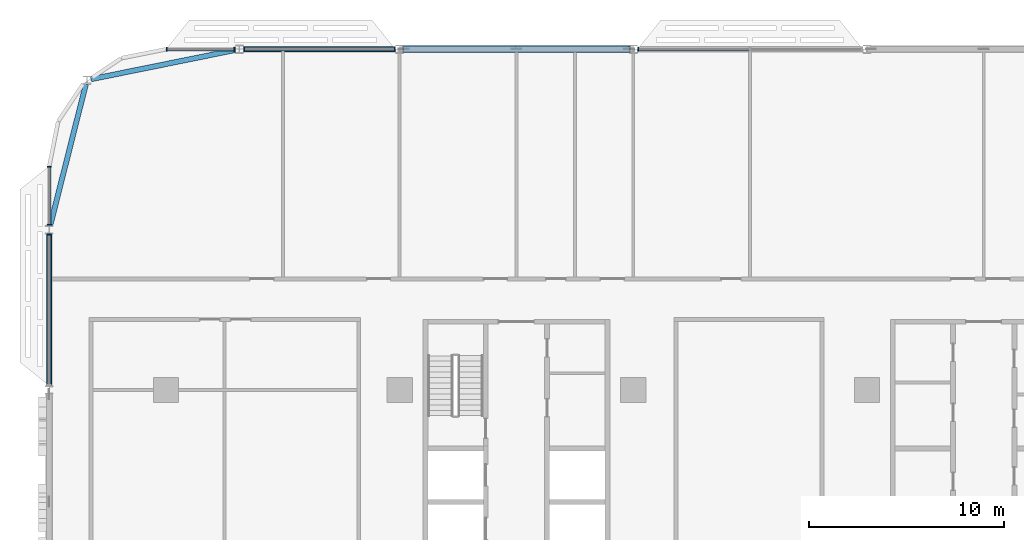
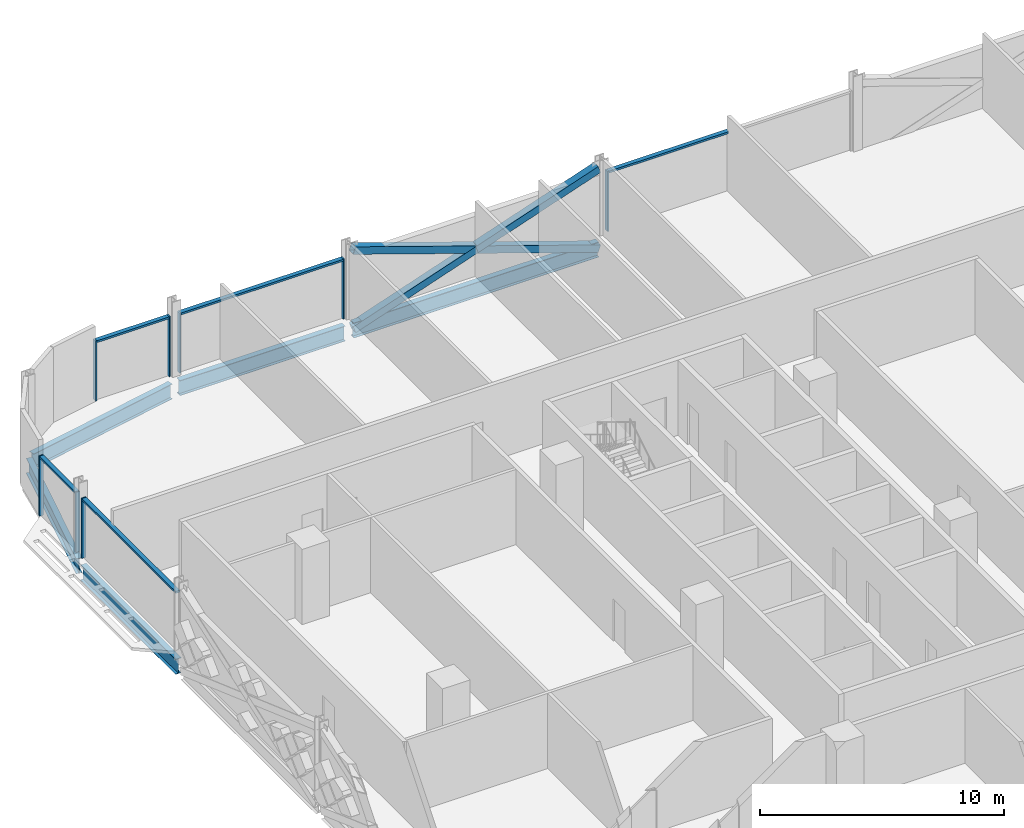
# One storey, part 6 of 28: 16 members, 5 beams, 5 elements without a shape of their own.
"""IFC4 building model written with IfcOpenShell, lengths in metres."""

from ifc_helpers import new_model, si_unit, direction, frame, origin, origin_2d, place, context, subcontext, project, spatial, rectangle, hollow_rectangle, i_section, extrude, material, material_profile, profile_set, type_object, element, aggregate, save


model = new_model("IFC4")

# Units and contexts
model_context = context("Model", 3, precision=1e-05, world=origin(), true_north=direction((0.0, 1.0)))
body_context = subcontext(model_context, "Body", "Model", "MODEL_VIEW")
ifc_project = project(units=[si_unit("LENGTHUNIT", "METRE"), si_unit("AREAUNIT", "SQUARE_METRE"), si_unit("VOLUMEUNIT", "CUBIC_METRE"), si_unit("PLANEANGLEUNIT", "RADIAN"), si_unit("MASSUNIT", "GRAM", prefix="KILO")], contexts=[model_context])

# Site, building, storey
site_placement = place(None, origin())
site = spatial("IfcSite", under=ifc_project, at=site_placement, CompositionType="ELEMENT")
building_placement = place(site_placement, origin())
building = spatial("IfcBuilding", under=site, at=building_placement, Name="Mahtab Terrace Research Tower", CompositionType="ELEMENT")
storey_placement = place(building_placement, frame((0.0, 0.0, 130.199951171875)))
storey = spatial("IfcBuildingStorey", under=building, at=storey_placement, Name="L30", CompositionType="ELEMENT", Elevation=130.199951171875)

# Members
ifc_material_1 = material(Name="Steel ASTM A500 Gr C", Category="steel")
ifc_material_profile_1 = material_profile(ifc_material_1, hollow_rectangle(XDim=0.355712890625, YDim=0.355712890625, WallThickness=0.01904296875, at=origin_2d()), Name="HSS14X14X3/4")
ifc_profile_set_1 = profile_set([ifc_material_profile_1], Name="Steel ASTM A500 Gr C")
member_type_1 = type_object("IfcMemberType", Name="HSS 14x14x3/4 brace XB141434", PredefinedType="BRACE", material=ifc_profile_set_1)
member_1_placement = place(storey_placement, frame((-18.205810546875, 29.0, -0.648193359375), z_axis=(-0.946288278, 0.0, 0.323324132908), x_axis=(0.0, -1.0, 0.0)))
element("IfcMember", 1, at=member_1_placement, inside=storey, type_object=member_type_1, Name="Exoskeleton brace L30 06 a", PredefinedType="BRACE", context=body_context, shape_type="SweptSolid", body=[
    extrude(hollow_rectangle(XDim=0.355712890625, YDim=0.355712890625, WallThickness=0.01904296875, at=origin_2d()), origin(), (0.0, 0.0, 1.0), 12.24609375),
])
for number, where, z_axis, x_axis, name in (
    (2, (-29.794189453125, 29.0, -0.648193359375), (0.946288278, 0.0, 0.323324132908), (0.0, 1.0, 0.0), "Exoskeleton brace L30 06 b1"),
    (3, (-24.0, 29.0, 1.33154296875), (0.946288278, 0.0, 0.323324132908), (0.0, 1.0, 0.0), "Exoskeleton brace L30 06 b2"),
):
    element("IfcMember", number, at=place(storey_placement, frame(where, z_axis=z_axis, x_axis=x_axis)), inside=storey, type_object=member_type_1, Name=name, PredefinedType="BRACE", context=body_context, shape_type="SweptSolid", body=[
        extrude(hollow_rectangle(XDim=0.355712890625, YDim=0.355712890625, WallThickness=0.01904296875, at=origin_2d()), origin(), (0.0, 0.0, 1.0), 6.123046875),
    ])

# Curtain wall, member
ifc_material_2 = material(Name="Laboratory ribbon curtain wall")
curtain_wall_type = type_object("IfcCurtainWallType", Name="Laboratory ribbon curtain wall", PredefinedType="NOTDEFINED", material=ifc_material_2)
curtain_wall_1_placement = place(storey_placement, origin())
curtain_wall_1 = element("IfcCurtainWall", 4, at=curtain_wall_1_placement, inside=storey, type_object=curtain_wall_type, Name="EN.L30.3.7", PredefinedType="NOTDEFINED")
ifc_material_3 = material(Name="Natural anodised aluminium", Category="aluminium")
ifc_material_profile_2 = material_profile(ifc_material_3, rectangle(XDim=0.199951171875, YDim=0.06494140625, at=origin_2d()), Name="MULLION 65x200")
ifc_profile_set_2 = profile_set([ifc_material_profile_2], Name="Natural anodised aluminium")
member_type_2 = type_object("IfcMemberType", Name="Laboratory ribbon curtain wall mullion", PredefinedType="MULLION", material=ifc_profile_set_2)
member_2_placement = place(storey_placement, frame((-17.74951171875, 29.0, 0.0), z_axis=(0.0, 0.0, 1.0), x_axis=(0.0, -1.0, 0.0)))
member_2 = element("IfcMember", 5, at=member_2_placement, type_object=member_type_2, Name="CWL-4 mullion 3", PredefinedType="MULLION", context=body_context, shape_type="SweptSolid", body=[
    extrude(rectangle(XDim=0.199951171875, YDim=0.06494140625, at=origin_2d()), origin(), (0.0, 0.0, 1.0), 3.003173828125),
])

# Curtain wall, members
curtain_wall_2_placement = place(storey_placement, origin())
curtain_wall_2 = element("IfcCurtainWall", 6, at=curtain_wall_2_placement, inside=storey, type_object=curtain_wall_type, Name="EN.L30.3.9", PredefinedType="NOTDEFINED")
member_3_placement = place(storey_placement, frame((-30.25048828125, 29.0, 0.0), z_axis=(0.0, 0.0, 1.0), x_axis=(0.0, -1.0, 0.0)))
member_3 = element("IfcMember", 7, at=member_3_placement, type_object=member_type_2, Name="CWL-4 mullion 1", PredefinedType="MULLION", context=body_context, shape_type="SweptSolid", body=[
    extrude(rectangle(XDim=0.199951171875, YDim=0.06494140625, at=origin_2d()), origin(), (0.0, 0.0, 1.0), 3.003173828125),
])
member_4_placement = place(storey_placement, frame((-37.98046875, 29.0, 0.0), z_axis=(0.0, 0.0, 1.0), x_axis=(0.0, -1.0, 0.0)))
member_4 = element("IfcMember", 8, at=member_4_placement, type_object=member_type_2, Name="CWL-4 mullion 2", PredefinedType="MULLION", context=body_context, shape_type="SweptSolid", body=[
    extrude(rectangle(XDim=0.199951171875, YDim=0.06494140625, at=origin_2d()), origin(), (0.0, 0.0, 1.0), 3.003173828125),
])

curtain_wall_3_placement = place(storey_placement, origin())
curtain_wall_3 = element("IfcCurtainWall", 9, at=curtain_wall_3_placement, inside=storey, type_object=curtain_wall_type, Name="EN.L30.3.10", PredefinedType="NOTDEFINED")
member_5_placement = place(storey_placement, frame((-38.4814453125, 29.0, 0.0), z_axis=(0.0, 0.0, 1.0), x_axis=(0.0, -1.0, 0.0)))
member_5 = element("IfcMember", 10, at=member_5_placement, type_object=member_type_2, Name="CWL-4 mullion 1", PredefinedType="MULLION", context=body_context, shape_type="SweptSolid", body=[
    extrude(rectangle(XDim=0.199951171875, YDim=0.06494140625, at=origin_2d()), origin(), (0.0, 0.0, 1.0), 3.003173828125),
])
member_6_placement = place(storey_placement, frame((-41.967529296875, 29.0, 0.0), z_axis=(0.0, 0.0, 1.0), x_axis=(0.0, -1.0, 0.0)))
member_6 = element("IfcMember", 11, at=member_6_placement, type_object=member_type_2, Name="CWL-4 mullion 2", PredefinedType="MULLION", context=body_context, shape_type="SweptSolid", body=[
    extrude(rectangle(XDim=0.199951171875, YDim=0.06494140625, at=origin_2d()), origin(), (0.0, 0.0, 1.0), 3.003173828125),
])

curtain_wall_4_placement = place(storey_placement, origin())
curtain_wall_4 = element("IfcCurtainWall", 12, at=curtain_wall_4_placement, inside=storey, type_object=curtain_wall_type, Name="EN.L30.8.15", PredefinedType="NOTDEFINED")
member_7_placement = place(storey_placement, frame((-48.0, 22.967529296875, 0.0), z_axis=(0.0, 0.0, 1.0), x_axis=(1.0, 0.0, 0.0)))
member_7 = element("IfcMember", 13, at=member_7_placement, type_object=member_type_2, Name="CWL-4 mullion 1", PredefinedType="MULLION", context=body_context, shape_type="SweptSolid", body=[
    extrude(rectangle(XDim=0.199951171875, YDim=0.06494140625, at=origin_2d()), origin(), (0.0, 0.0, 1.0), 3.003173828125),
])
member_8_placement = place(storey_placement, frame((-48.0, 19.9814453125, 0.0), z_axis=(0.0, 0.0, 1.0), x_axis=(1.0, 0.0, 0.0)))
member_8 = element("IfcMember", 14, at=member_8_placement, type_object=member_type_2, Name="CWL-4 mullion 2", PredefinedType="MULLION", context=body_context, shape_type="SweptSolid", body=[
    extrude(rectangle(XDim=0.199951171875, YDim=0.06494140625, at=origin_2d()), origin(), (0.0, 0.0, 1.0), 3.003173828125),
])

# Curtain wall, member
curtain_wall_5_placement = place(storey_placement, origin())
curtain_wall_5 = element("IfcCurtainWall", 15, at=curtain_wall_5_placement, inside=storey, type_object=curtain_wall_type, Name="EN.L30.8.16", PredefinedType="NOTDEFINED")
member_9_placement = place(storey_placement, frame((-48.0, 19.48046875, 0.0), z_axis=(0.0, 0.0, 1.0), x_axis=(1.0, 0.0, 0.0)))
member_9 = element("IfcMember", 16, at=member_9_placement, type_object=member_type_2, Name="CWL-4 mullion 1", PredefinedType="MULLION", context=body_context, shape_type="SweptSolid", body=[
    extrude(rectangle(XDim=0.199951171875, YDim=0.06494140625, at=origin_2d()), origin(), (0.0, 0.0, 1.0), 3.003173828125),
])

# Member
ifc_material_profile_3 = material_profile(ifc_material_3, rectangle(XDim=0.199951171875, YDim=0.10009765625, at=origin_2d()), Name="TRANSOM 100x200")
ifc_profile_set_3 = profile_set([ifc_material_profile_3], Name="Natural anodised aluminium")
member_type_3 = type_object("IfcMemberType", Name="Laboratory ribbon curtain wall transom", PredefinedType="USERDEFINED", material=ifc_profile_set_3)
member_10_placement = place(storey_placement, frame((-12.032470703125, 29.0, 2.953125), z_axis=(-1.0, 0.0, 0.0), x_axis=(0.0, -1.0, 0.0)))
member_10 = element("IfcMember", 17, at=member_10_placement, type_object=member_type_3, Name="CWL-4 transom 2", ObjectType="TRANSOM", PredefinedType="USERDEFINED", context=body_context, shape_type="SweptSolid", body=[
    extrude(rectangle(XDim=0.199951171875, YDim=0.10009765625, at=origin_2d()), origin(), (0.0, 0.0, 1.0), 5.6845703125),
])

aggregate(curtain_wall_1, [member_2, member_10])

member_11_placement = place(storey_placement, frame((-30.282958984375, 29.0, 2.953125), z_axis=(-1.0, 0.0, 0.0), x_axis=(0.0, -1.0, 0.0)))
member_11 = element("IfcMember", 18, at=member_11_placement, type_object=member_type_3, Name="CWL-4 transom 1", ObjectType="TRANSOM", PredefinedType="USERDEFINED", context=body_context, shape_type="SweptSolid", body=[
    extrude(rectangle(XDim=0.199951171875, YDim=0.10009765625, at=origin_2d()), origin(), (0.0, 0.0, 1.0), 7.6650390625),
])

aggregate(curtain_wall_2, [member_3, member_4, member_11])

member_12_placement = place(storey_placement, frame((-38.513916015625, 29.0, 2.953125), z_axis=(-1.0, 0.0, 0.0), x_axis=(0.0, -1.0, 0.0)))
member_12 = element("IfcMember", 19, at=member_12_placement, type_object=member_type_3, Name="CWL-4 transom 1", ObjectType="TRANSOM", PredefinedType="USERDEFINED", context=body_context, shape_type="SweptSolid", body=[
    extrude(rectangle(XDim=0.199951171875, YDim=0.10009765625, at=origin_2d()), origin(), (0.0, 0.0, 1.0), 3.421142578125),
])

aggregate(curtain_wall_3, [member_5, member_6, member_12])

member_13_placement = place(storey_placement, frame((-48.0, 22.93505859375, 2.953125), z_axis=(0.0, -1.0, 0.0), x_axis=(1.0, 0.0, 0.0)))
member_13 = element("IfcMember", 20, at=member_13_placement, type_object=member_type_3, Name="CWL-4 transom 1", ObjectType="TRANSOM", PredefinedType="USERDEFINED", context=body_context, shape_type="SweptSolid", body=[
    extrude(rectangle(XDim=0.199951171875, YDim=0.10009765625, at=origin_2d()), origin(), (0.0, 0.0, 1.0), 2.921142578125),
])

aggregate(curtain_wall_4, [member_7, member_8, member_13])

member_14_placement = place(storey_placement, frame((-48.0, 19.447998046875, 2.953125), z_axis=(0.0, -1.0, 0.0), x_axis=(1.0, 0.0, 0.0)))
member_14 = element("IfcMember", 21, at=member_14_placement, type_object=member_type_3, Name="CWL-4 transom 1", ObjectType="TRANSOM", PredefinedType="USERDEFINED", context=body_context, shape_type="SweptSolid", body=[
    extrude(rectangle(XDim=0.199951171875, YDim=0.10009765625, at=origin_2d()), origin(), (0.0, 0.0, 1.0), 7.6650390625),
])

aggregate(curtain_wall_5, [member_9, member_14])

# Beams
ifc_material_4 = material(Name="Steel ASTM A992 Gr 50", Category="steel")
ifc_material_profile_4 = material_profile(ifc_material_4, i_section(OverallWidth=0.2666015625, OverallDepth=0.7568359375, WebThickness=0.013916015625, FlangeThickness=0.019287109375, at=origin_2d()), Name="W30X108")
ifc_profile_set_4 = profile_set([ifc_material_profile_4], Name="Steel ASTM A992 Gr 50")
beam_type = type_object("IfcBeamType", Name="W30x108 beam BS30108", PredefinedType="BEAM", material=ifc_profile_set_4)
beam_1_placement = place(storey_placement, frame((-18.205810546875, 29.0, -0.718505859375), z_axis=(-1.0, 0.0, 0.0), x_axis=(0.0, -1.0, 0.0)))
element("IfcBeam", 22, at=beam_1_placement, inside=storey, type_object=beam_type, Name="Spandrel beam L30 06", PredefinedType="BEAM", context=body_context, shape_type="SweptSolid", body=[
    extrude(i_section(OverallWidth=0.2666015625, OverallDepth=0.7568359375, WebThickness=0.013916015625, FlangeThickness=0.019287109375, at=origin_2d()), origin(), (0.0, 0.0, 1.0), 11.58837890625),
])
beam_2_placement = place(storey_placement, frame((-30.205810546875, 29.0, -0.718505859375), z_axis=(-1.0, 0.0, 0.0), x_axis=(0.0, -1.0, 0.0)))
element("IfcBeam", 23, at=beam_2_placement, inside=storey, type_object=beam_type, Name="Spandrel beam L30 07", PredefinedType="BEAM", context=body_context, shape_type="SweptSolid", body=[
    extrude(i_section(OverallWidth=0.2666015625, OverallDepth=0.7568359375, WebThickness=0.013916015625, FlangeThickness=0.019287109375, at=origin_2d()), origin(), (0.0, 0.0, 1.0), 7.8193359375),
])
beam_3_placement = place(storey_placement, frame((-38.436767578125, 28.95849609375, -0.718505859375), z_axis=(-0.980144108674, -0.198286475161, 0.0), x_axis=(0.198286475161, -0.980144108674, 0.0)))
element("IfcBeam", 24, at=beam_3_placement, inside=storey, type_object=beam_type, Name="Spandrel beam L30 08", PredefinedType="BEAM", context=body_context, shape_type="SweptSolid", body=[
    extrude(i_section(OverallWidth=0.2666015625, OverallDepth=0.7568359375, WebThickness=0.013916015625, FlangeThickness=0.019287109375, at=origin_2d()), origin(), (0.0, 0.0, 1.0), 7.56982421875),
])
beam_4_placement = place(storey_placement, frame((-46.11669921875, 27.19873046875, -0.718505859375), z_axis=(-0.244547874366, -0.969637219347, 0.0), x_axis=(0.969637219347, -0.244547874366, 0.0)))
element("IfcBeam", 25, at=beam_4_placement, inside=storey, type_object=beam_type, Name="Spandrel beam L30 09", PredefinedType="BEAM", context=body_context, shape_type="SweptSolid", body=[
    extrude(i_section(OverallWidth=0.2666015625, OverallDepth=0.7568359375, WebThickness=0.013916015625, FlangeThickness=0.019287109375, at=origin_2d()), origin(), (0.0, 0.0, 1.0), 7.4775390625),
])
beam_5_placement = place(storey_placement, frame((-48.0, 19.513916015625, -0.718505859375), z_axis=(0.0, -1.0, 0.0), x_axis=(1.0, 0.0, 0.0)))
element("IfcBeam", 26, at=beam_5_placement, inside=storey, type_object=beam_type, Name="Spandrel beam L30 10", PredefinedType="BEAM", context=body_context, shape_type="SweptSolid", body=[
    extrude(i_section(OverallWidth=0.2666015625, OverallDepth=0.7568359375, WebThickness=0.013916015625, FlangeThickness=0.019287109375, at=origin_2d()), origin(), (0.0, 0.0, 1.0), 7.796875),
])

save(model, "model.ifc")
